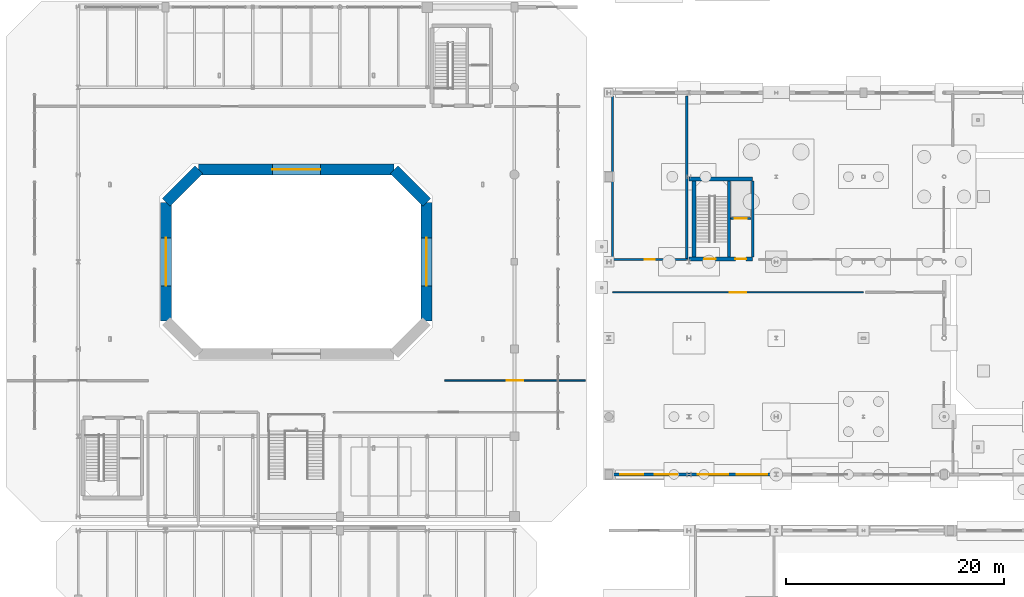
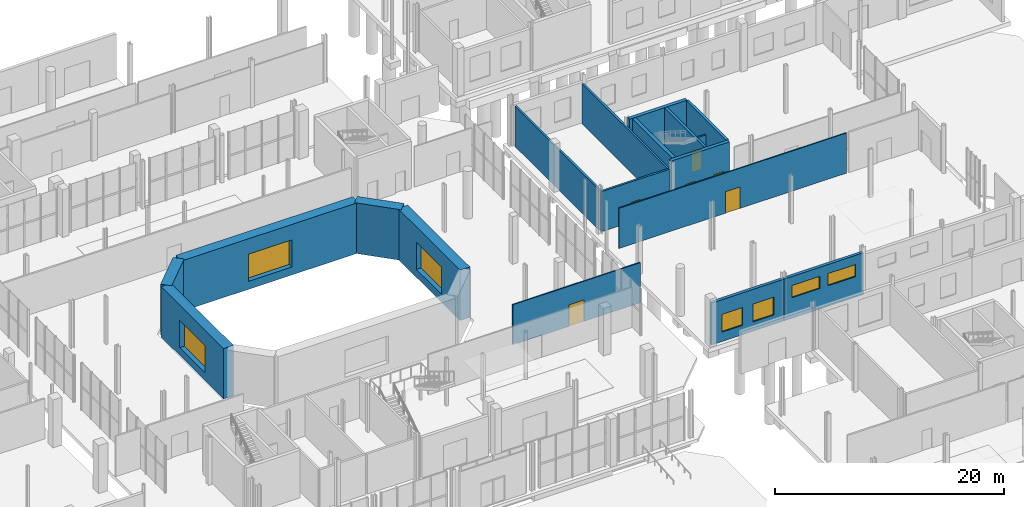
# One storey, part 68 of 87: 18 walls, 7 windows, 6 doors, 13 openings.
"""IFC4 building model written with IfcOpenShell, lengths in metres."""

from ifc_helpers import new_model, si_unit, direction, frame, frame_2d, origin, place, context, subcontext, project, spatial, rectangle, extrude, material, layer, layer_set, type_object, element, fill, save


model = new_model("IFC4")

# Units and contexts
model_context = context("Model", 3, precision=1e-05, world=origin(), true_north=direction((0.0, 1.0)))
body_context = subcontext(model_context, "Body", "Model", "MODEL_VIEW")
ifc_project = project(units=[si_unit("LENGTHUNIT", "METRE"), si_unit("AREAUNIT", "SQUARE_METRE"), si_unit("VOLUMEUNIT", "CUBIC_METRE"), si_unit("PLANEANGLEUNIT", "RADIAN"), si_unit("MASSUNIT", "GRAM", prefix="KILO")], contexts=[model_context])

# Site, building, storey
site_placement = place(None, origin())
site = spatial("IfcSite", under=ifc_project, at=site_placement, CompositionType="ELEMENT")
building_placement = place(site_placement, origin())
building = spatial("IfcBuilding", under=site, at=building_placement, Name="Brisemont Oceanarium", CompositionType="ELEMENT")
storey_placement = place(building_placement, origin())
storey = spatial("IfcBuildingStorey", under=building, at=storey_placement, Name="L00", CompositionType="ELEMENT", Elevation=0.0)

# Wall, openings, windows
ifc_material_1 = material(Name="Sierra Granite Ashlar Backup Concrete C35/45", Category="masonry")
ifc_layer_1 = layer(ifc_material_1, 0.300048828125)
ifc_layer_set_1 = layer_set([ifc_layer_1], Name="Sierra Granite Ashlar Backup Concrete C35/45")
wall_type_1 = type_object("IfcWallType", Name="EW-GRANITE-300", PredefinedType="STANDARD", material=ifc_layer_set_1)
wall_1_placement = place(storey_placement, frame((112.64990234375, 36.5, 0.0), z_axis=(0.0, 0.0, 1.0), x_axis=(1.0, 0.0, 0.0)))
wall_1 = element("IfcWall", 1, at=wall_1_placement, inside=storey, type_object=wall_type_1, Name="Beaux-Arts exterior wall EW-V5ES-L00-1", PredefinedType="STANDARD", context=body_context, shape_type="SweptSolid", body=[
    extrude(rectangle(XDim=7.35009765625, YDim=0.300048828125, at=frame_2d((3.675048828125, 0.0))), origin(), (0.0, 0.0, 1.0), 4.468017578125),
])
opening_1_placement = place(wall_1_placement, frame((1.050048828125, 0.0, 1.0)))
opening_1 = element("IfcOpeningElement", 2, at=opening_1_placement, cuts=wall_1, Name="Opening WIN-10", PredefinedType="OPENING", context=body_context, shape_type="SweptSolid", body=[
    extrude(rectangle(XDim=2.10009765625, YDim=1.89990234375, at=frame_2d((1.050048828125, 0.949951171875))), frame((0.0, 0.159912109375, 0.0), z_axis=(0.0, -1.0, 0.0), x_axis=(1.0, 0.0, 0.0)), (0.0, 0.0, 1.0), 0.320068359375),
])
opening_2_placement = place(wall_1_placement, frame((4.199951171875, 0.0, 1.0)))
opening_2 = element("IfcOpeningElement", 3, at=opening_2_placement, cuts=wall_1, Name="Opening WIN-10", PredefinedType="OPENING", context=body_context, shape_type="SweptSolid", body=[
    extrude(rectangle(XDim=2.10009765625, YDim=1.89990234375, at=frame_2d((1.050048828125, 0.949951171875))), frame((0.0, 0.159912109375, 0.0), z_axis=(0.0, -1.0, 0.0), x_axis=(1.0, 0.0, 0.0)), (0.0, 0.0, 1.0), 0.320068359375),
])
ifc_material_2 = material(Name="Insulated Low-E Laminated Glass", Category="glass")
window_type_1 = type_object("IfcWindowType", Name="WIN-LAB-2100X1900", PartitioningType="SINGLE_PANEL", PredefinedType="WINDOW", material=ifc_material_2)
window_1_placement = place(opening_1_placement, origin())
window_1 = element("IfcWindow", 4, at=window_1_placement, inside=storey, type_object=window_type_1, Name="WIN-10 facade window 37", OverallHeight=1.89990234375, OverallWidth=2.10009765625, PartitioningType="SINGLE_PANEL", PredefinedType="WINDOW", context=body_context, shape_type="SweptSolid", body=[
    extrude(rectangle(XDim=2.10009765625, YDim=1.89990234375, at=frame_2d((1.050048828125, 0.949951171875))), frame((0.0, 0.030029296875, 0.0), z_axis=(0.0, -1.0, 0.0), x_axis=(1.0, 0.0, 0.0)), (0.0, 0.0, 1.0), 0.06005859375),
])
fill(opening_1, window_1)
window_2_placement = place(opening_2_placement, origin())
window_2 = element("IfcWindow", 5, at=window_2_placement, inside=storey, type_object=window_type_1, Name="WIN-10 facade window 38", OverallHeight=1.89990234375, OverallWidth=2.10009765625, PartitioningType="SINGLE_PANEL", PredefinedType="WINDOW", context=body_context, shape_type="SweptSolid", body=[
    extrude(rectangle(XDim=2.10009765625, YDim=1.89990234375, at=frame_2d((1.050048828125, 0.949951171875))), frame((0.0, 0.030029296875, 0.0), z_axis=(0.0, -1.0, 0.0), x_axis=(1.0, 0.0, 0.0)), (0.0, 0.0, 1.0), 0.06005859375),
])
fill(opening_2, window_2)

wall_2_placement = place(storey_placement, frame((120.0, 36.5, 0.0), z_axis=(0.0, 0.0, 1.0), x_axis=(1.0, 0.0, 0.0)))
wall_2 = element("IfcWall", 6, at=wall_2_placement, inside=storey, type_object=wall_type_1, Name="Beaux-Arts exterior wall EW-V5ES-L00-2", PredefinedType="STANDARD", context=body_context, shape_type="SweptSolid", body=[
    extrude(rectangle(XDim=8.0, YDim=0.300048828125, at=frame_2d((4.0, 0.0))), origin(), (0.0, 0.0, 1.0), 4.468017578125),
])
opening_3_placement = place(wall_2_placement, frame((0.800048828125, 0.0, 2.199951171875)))
opening_3 = element("IfcOpeningElement", 7, at=opening_3_placement, cuts=wall_2, Name="Opening WIN-12", PredefinedType="OPENING", context=body_context, shape_type="SweptSolid", body=[
    extrude(rectangle(XDim=2.800048828125, YDim=1.300048828125, at=frame_2d((1.39990234375, 0.64990234375))), frame((0.0, 0.159912109375, 0.0), z_axis=(0.0, -1.0, 0.0), x_axis=(1.0, 0.0, 0.0)), (0.0, 0.0, 1.0), 0.320068359375),
])
opening_4_placement = place(wall_2_placement, frame((4.39990234375, 0.0, 2.199951171875)))
opening_4 = element("IfcOpeningElement", 8, at=opening_4_placement, cuts=wall_2, Name="Opening WIN-12", PredefinedType="OPENING", context=body_context, shape_type="SweptSolid", body=[
    extrude(rectangle(XDim=2.800048828125, YDim=1.300048828125, at=frame_2d((1.39990234375, 0.64990234375))), frame((0.0, 0.159912109375, 0.0), z_axis=(0.0, -1.0, 0.0), x_axis=(1.0, 0.0, 0.0)), (0.0, 0.0, 1.0), 0.320068359375),
])
ifc_material_3 = material(Name="Insulated Low-E Laminated Glass", Category="glass")
window_type_2 = type_object("IfcWindowType", Name="WIN-CLR-2800X1300", PartitioningType="SINGLE_PANEL", PredefinedType="WINDOW", material=ifc_material_3)
window_3_placement = place(opening_3_placement, origin())
window_3 = element("IfcWindow", 9, at=window_3_placement, inside=storey, type_object=window_type_2, Name="WIN-12 facade window 39", OverallHeight=1.300048828125, OverallWidth=2.800048828125, PartitioningType="SINGLE_PANEL", PredefinedType="WINDOW", context=body_context, shape_type="SweptSolid", body=[
    extrude(rectangle(XDim=2.800048828125, YDim=1.300048828125, at=frame_2d((1.39990234375, 0.64990234375))), frame((0.0, 0.030029296875, 0.0), z_axis=(0.0, -1.0, 0.0), x_axis=(1.0, 0.0, 0.0)), (0.0, 0.0, 1.0), 0.06005859375),
])
fill(opening_3, window_3)
window_4_placement = place(opening_4_placement, origin())
window_4 = element("IfcWindow", 10, at=window_4_placement, inside=storey, type_object=window_type_2, Name="WIN-12 facade window 40", OverallHeight=1.300048828125, OverallWidth=2.800048828125, PartitioningType="SINGLE_PANEL", PredefinedType="WINDOW", context=body_context, shape_type="SweptSolid", body=[
    extrude(rectangle(XDim=2.800048828125, YDim=1.300048828125, at=frame_2d((1.39990234375, 0.64990234375))), frame((0.0, 0.030029296875, 0.0), z_axis=(0.0, -1.0, 0.0), x_axis=(1.0, 0.0, 0.0)), (0.0, 0.0, 1.0), 0.06005859375),
])
fill(opening_4, window_4)

# Wall, opening, door
ifc_material_4 = material(Name="Moisture-Resistant Gypsum Steel-Stud Partition", Category="steel")
ifc_layer_2 = layer(ifc_material_4, 0.159912109375)
ifc_layer_set_2 = layer_set([ifc_layer_2], Name="Moisture-Resistant Gypsum Steel-Stud Partition")
wall_type_2 = type_object("IfcWallType", Name="IW-FB-160", PredefinedType="PARTITIONING", material=ifc_layer_set_2)
wall_3_placement = place(storey_placement, frame((123.85009765625, 59.969970703125, 0.0), z_axis=(0.0, 0.0, 1.0), x_axis=(1.0, 0.0, 0.0)))
wall_3 = element("IfcWall", 11, at=wall_3_placement, inside=storey, type_object=wall_type_2, Name="Core C6 L00 lift hoistway front wall", PredefinedType="PARTITIONING", context=body_context, shape_type="SweptSolid", body=[
    extrude(rectangle(XDim=1.83984375, YDim=0.159912109375, at=frame_2d((0.919921875, 0.0))), origin(), (0.0, 0.0, 1.0), 3.60009765625),
])
opening_5_placement = place(wall_3_placement, frame((0.3701171875, 0.0, 0.0)))
opening_5 = element("IfcOpeningElement", 12, at=opening_5_placement, cuts=wall_3, Name="Opening LD-01", PredefinedType="OPENING", context=body_context, shape_type="SweptSolid", body=[
    extrude(rectangle(XDim=1.10009765625, YDim=2.14990234375, at=frame_2d((0.550048828125, 1.074951171875))), frame((0.0, 0.08984375, 0.0), z_axis=(0.0, -1.0, 0.0), x_axis=(1.0, 0.0, 0.0)), (0.0, 0.0, 1.0), 0.179931640625),
])
ifc_material_5 = material(Name="Duplex Stainless Steel EN 1.4462", Category="steel")
door_type_1 = type_object("IfcDoorType", Name="DR-LIFT-1100X2150", OperationType="NOTDEFINED", PredefinedType="DOOR", material=ifc_material_5)
door_1_placement = place(opening_5_placement, origin())
door_1 = element("IfcDoor", 13, at=door_1_placement, inside=storey, type_object=door_type_1, Name="Lift landing door LF-06 L00", OperationType="SLIDING_TO_LEFT", OverallHeight=2.14990234375, OverallWidth=1.10009765625, PredefinedType="DOOR", context=body_context, shape_type="SweptSolid", body=[
    extrude(rectangle(XDim=1.10009765625, YDim=2.14990234375, at=frame_2d((0.550048828125, 1.074951171875))), frame((0.0, 0.02490234375, 0.0), z_axis=(0.0, -1.0, 0.0), x_axis=(1.0, 0.0, 0.0)), (0.0, 0.0, 1.0), 0.050048828125),
])
fill(opening_5, door_1)

ifc_material_6 = material(Name="Moisture-Resistant Gypsum Steel-Stud Partition", Category="steel")
ifc_layer_3 = layer(ifc_material_6, 0.1201171875)
ifc_layer_set_3 = layer_set([ifc_layer_3], Name="Moisture-Resistant Gypsum Steel-Stud Partition")
wall_type_3 = type_object("IfcWallType", Name="IW-PART-120", PredefinedType="PARTITIONING", material=ifc_layer_set_3)
wall_4_placement = place(storey_placement, frame((97.60009765625, 45.10009765625, 0.0), z_axis=(0.0, 0.0, 1.0), x_axis=(1.0, 0.0, 0.0)))
wall_4 = element("IfcWall", 14, at=wall_4_placement, inside=storey, type_object=wall_type_3, Name="Ocean Tank East Viewing Exhibit Gallery corridor partition", PredefinedType="PARTITIONING", context=body_context, shape_type="SweptSolid", body=[
    extrude(rectangle(XDim=12.89990234375, YDim=0.1201171875, at=frame_2d((6.449951171875, 0.0))), origin(), (0.0, 0.0, 1.0), 4.2900390625),
])
opening_6_placement = place(wall_4_placement, frame((5.699951171875, 0.0, 0.0)))
opening_6 = element("IfcOpeningElement", 15, at=opening_6_placement, cuts=wall_4, Name="Opening GD-03", PredefinedType="OPENING", context=body_context, shape_type="SweptSolid", body=[
    extrude(rectangle(XDim=1.5, YDim=2.300048828125, at=frame_2d((0.75, 1.14990234375))), frame((0.0, 0.070068359375, 0.0), z_axis=(0.0, -1.0, 0.0), x_axis=(1.0, 0.0, 0.0)), (0.0, 0.0, 1.0), 0.14013671875),
])
ifc_material_7 = material(Name="Patinated Architectural Bronze C38500")
door_type_2 = type_object("IfcDoorType", Name="DR-GAL-1500X2300", OperationType="NOTDEFINED", PredefinedType="DOOR", material=ifc_material_7)
door_2_placement = place(opening_6_placement, origin())
door_2 = element("IfcDoor", 16, at=door_2_placement, inside=storey, type_object=door_type_2, Name="GD-03 door to Ocean Tank East Viewing Exhibit Gallery", OperationType="SINGLE_SWING_LEFT", OverallHeight=2.300048828125, OverallWidth=1.5, PredefinedType="DOOR", context=body_context, shape_type="SweptSolid", body=[
    extrude(rectangle(XDim=1.5, YDim=2.300048828125, at=frame_2d((0.75, 1.14990234375))), frame((0.0, 0.02490234375, 0.0), z_axis=(0.0, -1.0, 0.0), x_axis=(1.0, 0.0, 0.0)), (0.0, 0.0, 1.0), 0.050048828125),
])
fill(opening_6, door_2)

wall_5_placement = place(storey_placement, frame((113.0, 53.199951171875, 0.0), z_axis=(0.0, 0.0, 1.0), x_axis=(1.0, 0.0, 0.0)))
wall_5 = element("IfcWall", 17, at=wall_5_placement, inside=storey, type_object=wall_type_3, Name="Indo-Pacific Coral Reef Exhibit Gallery corridor partition", PredefinedType="PARTITIONING", context=body_context, shape_type="SweptSolid", body=[
    extrude(rectangle(XDim=23.0, YDim=0.1201171875, at=frame_2d((11.5, 0.0))), origin(), (0.0, 0.0, 1.0), 4.2900390625),
])
opening_7_placement = place(wall_5_placement, frame((10.75, 0.0, 0.0)))
opening_7 = element("IfcOpeningElement", 18, at=opening_7_placement, cuts=wall_5, Name="Opening GD-03", PredefinedType="OPENING", context=body_context, shape_type="SweptSolid", body=[
    extrude(rectangle(XDim=1.5, YDim=2.300048828125, at=frame_2d((0.75, 1.14990234375))), frame((0.0, 0.070068359375, 0.0), z_axis=(0.0, -1.0, 0.0), x_axis=(1.0, 0.0, 0.0)), (0.0, 0.0, 1.0), 0.14013671875),
])
door_3_placement = place(opening_7_placement, origin())
door_3 = element("IfcDoor", 19, at=door_3_placement, inside=storey, type_object=door_type_2, Name="GD-03 door to Indo-Pacific Coral Reef Exhibit Gallery", OperationType="SINGLE_SWING_RIGHT", OverallHeight=2.300048828125, OverallWidth=1.5, PredefinedType="DOOR", context=body_context, shape_type="SweptSolid", body=[
    extrude(rectangle(XDim=1.5, YDim=2.300048828125, at=frame_2d((0.75, 1.14990234375))), frame((0.0, 0.02490234375, 0.0), z_axis=(0.0, -1.0, 0.0), x_axis=(1.0, 0.0, 0.0)), (0.0, 0.0, 1.0), 0.050048828125),
])
fill(opening_7, door_3)

ifc_material_8 = material(Name="Cementitious Tile-Backer Plumbing Wall")
ifc_layer_4 = layer(ifc_material_8, 0.199951171875)
ifc_layer_set_4 = layer_set([ifc_layer_4], Name="Cementitious Tile-Backer Plumbing Wall")
wall_type_4 = type_object("IfcWallType", Name="IW-PLUMB-200", PredefinedType="PLUMBINGWALL", material=ifc_layer_set_4)
wall_6_placement = place(storey_placement, frame((113.0, 56.199951171875, 0.0), z_axis=(0.0, 0.0, 1.0), x_axis=(1.0, 0.0, 0.0)))
wall_6 = element("IfcWall", 20, at=wall_6_placement, inside=storey, type_object=wall_type_4, Name="Accessible WC corridor partition", PredefinedType="PLUMBINGWALL", context=body_context, shape_type="SweptSolid", body=[
    extrude(rectangle(XDim=6.800048828125, YDim=0.199951171875, at=frame_2d((3.39990234375, 0.0))), origin(), (0.0, 0.0, 1.0), 4.2900390625),
])
opening_8_placement = place(wall_6_placement, frame((2.945068359375, 0.0, 0.0)))
opening_8 = element("IfcOpeningElement", 21, at=opening_8_placement, cuts=wall_6, Name="Opening D-03", PredefinedType="OPENING", context=body_context, shape_type="SweptSolid", body=[
    extrude(rectangle(XDim=0.909912109375, YDim=2.10009765625, at=frame_2d((0.455078125, 1.050048828125))), frame((0.0, 0.10986328125, 0.0), z_axis=(0.0, -1.0, 0.0), x_axis=(1.0, 0.0, 0.0)), (0.0, 0.0, 1.0), 0.219970703125),
])
ifc_material_9 = material(Name="FSC White Oak Solid-Core Fire Door")
door_type_3 = type_object("IfcDoorType", Name="DR-WC-910X2100", OperationType="NOTDEFINED", PredefinedType="DOOR", material=ifc_material_9)
door_4_placement = place(opening_8_placement, origin())
door_4 = element("IfcDoor", 22, at=door_4_placement, inside=storey, type_object=door_type_3, Name="D-03 door to Accessible WC", OperationType="SINGLE_SWING_LEFT", OverallHeight=2.10009765625, OverallWidth=0.909912109375, PredefinedType="DOOR", context=body_context, shape_type="SweptSolid", body=[
    extrude(rectangle(XDim=0.909912109375, YDim=2.10009765625, at=frame_2d((0.455078125, 1.050048828125))), frame((0.0, 0.02490234375, 0.0), z_axis=(0.0, -1.0, 0.0), x_axis=(1.0, 0.0, 0.0)), (0.0, 0.0, 1.0), 0.050048828125),
])
fill(opening_8, door_4)

# Walls
wall_7_placement = place(storey_placement, frame((113.0, 56.199951171875, 0.0), z_axis=(0.0, 0.0, 1.0), x_axis=(0.0, 1.0, 0.0)))
element("IfcWall", 23, at=wall_7_placement, inside=storey, type_object=wall_type_4, Name="Accessible WC enclosure wall W", PredefinedType="PLUMBINGWALL", context=body_context, shape_type="SweptSolid", body=[
    extrude(rectangle(XDim=15.0, YDim=0.199951171875, at=frame_2d((7.5, 0.0))), origin(), (0.0, 0.0, 1.0), 4.280029296875),
])
wall_8_placement = place(storey_placement, frame((119.800048828125, 56.199951171875, 0.0), z_axis=(0.0, 0.0, 1.0), x_axis=(0.0, 1.0, 0.0)))
element("IfcWall", 24, at=wall_8_placement, inside=storey, type_object=wall_type_4, Name="Accessible WC enclosure wall E", PredefinedType="PLUMBINGWALL", context=body_context, shape_type="SweptSolid", body=[
    extrude(rectangle(XDim=15.0, YDim=0.199951171875, at=frame_2d((7.5, 0.0))), origin(), (0.0, 0.0, 1.0), 4.2900390625),
])
ifc_material_10 = material(Name="Concrete C40/50", Category="concrete")
ifc_layer_5 = layer(ifc_material_10, 0.260009765625)
ifc_layer_set_5 = layer_set([ifc_layer_5], Name="Concrete C40/50")
wall_type_5 = type_object("IfcWallType", Name="SW-SHAFT-260", PredefinedType="SHEAR", material=ifc_layer_set_5)
for number, where, z_axis, x_axis, name in (
    (25, (125.85009765625, 56.449951171875, 0.0), (0.0, 0.0, 1.0), (0.0, 1.0, 0.0), "Core C6 L00 E RC shear wall"),
    (26, (123.669921875, 56.449951171875, 0.0), (0.0, 0.0, 1.0), (0.0, 1.0, 0.0), "Core C6 L00 MID RC shear wall"),
):
    element("IfcWall", number, at=place(storey_placement, frame(where, z_axis=z_axis, x_axis=x_axis)), inside=storey, type_object=wall_type_5, Name=name, PredefinedType="SHEAR", context=body_context, shape_type="SweptSolid", body=[
        extrude(rectangle(XDim=6.949951171875, YDim=0.260009765625, at=frame_2d((3.47509765625, 0.0))), origin(), (0.0, 0.0, 1.0), 5.110107421875),
    ])

# Wall, openings, doors
ifc_material_11 = material(Name="Concrete C40/50", Category="concrete")
ifc_layer_6 = layer(ifc_material_11, 0.35009765625)
ifc_layer_set_6 = layer_set([ifc_layer_6], Name="Concrete C40/50")
wall_type_6 = type_object("IfcWallType", Name="SW-STAIR-350", PredefinedType="SHEAR", material=ifc_layer_set_6)
wall_9_placement = place(storey_placement, frame((120.0, 56.25, 0.0), z_axis=(0.0, 0.0, 1.0), x_axis=(1.0, 0.0, 0.0)))
wall_9 = element("IfcWall", 27, at=wall_9_placement, inside=storey, type_object=wall_type_6, Name="Core C6 L00 corridor RC shear wall", PredefinedType="SHEAR", context=body_context, shape_type="SweptSolid", body=[
    extrude(rectangle(XDim=5.85009765625, YDim=0.35009765625, at=frame_2d((2.925048828125, 0.0))), origin(), (0.0, 0.0, 1.0), 5.110107421875),
])
opening_9_placement = place(wall_9_placement, frame((1.39990234375, 0.0, 0.0)))
opening_9 = element("IfcOpeningElement", 28, at=opening_9_placement, cuts=wall_9, Name="Opening SD-02", PredefinedType="OPENING", context=body_context, shape_type="SweptSolid", body=[
    extrude(rectangle(XDim=1.050048828125, YDim=2.10009765625, at=frame_2d((0.52490234375, 1.050048828125))), frame((0.0, 0.18505859375, 0.0), z_axis=(0.0, -1.0, 0.0), x_axis=(1.0, 0.0, 0.0)), (0.0, 0.0, 1.0), 0.3701171875),
])
opening_10_placement = place(wall_9_placement, frame((4.25, 0.0, 0.0)))
opening_10 = element("IfcOpeningElement", 29, at=opening_10_placement, cuts=wall_9, Name="Opening FD90-2", PredefinedType="OPENING", context=body_context, shape_type="SweptSolid", body=[
    extrude(rectangle(XDim=1.0, YDim=2.14990234375, at=frame_2d((0.5, 1.074951171875))), frame((0.0, 0.18505859375, 0.0), z_axis=(0.0, -1.0, 0.0), x_axis=(1.0, 0.0, 0.0)), (0.0, 0.0, 1.0), 0.3701171875),
])
ifc_material_12 = material(Name="FSC White Oak Solid-Core Fire Door")
door_type_4 = type_object("IfcDoorType", Name="DR-LOB-1000X2150", OperationType="NOTDEFINED", PredefinedType="DOOR", material=ifc_material_12)
door_5_placement = place(opening_10_placement, origin())
door_5 = element("IfcDoor", 30, at=door_5_placement, inside=storey, type_object=door_type_4, Name="Lift lobby door C6 L00", OperationType="SINGLE_SWING_LEFT", OverallHeight=2.14990234375, OverallWidth=1.0, PredefinedType="DOOR", context=body_context, shape_type="SweptSolid", body=[
    extrude(rectangle(XDim=1.0, YDim=2.14990234375, at=frame_2d((0.5, 1.074951171875))), frame((0.0, 0.02490234375, 0.0), z_axis=(0.0, -1.0, 0.0), x_axis=(1.0, 0.0, 0.0)), (0.0, 0.0, 1.0), 0.050048828125),
])
fill(opening_10, door_5)
ifc_material_13 = material(Name="Duplex Stainless Steel EN 1.4462", Category="steel")
door_type_5 = type_object("IfcDoorType", Name="DR-STAIR-1050X2100", OperationType="NOTDEFINED", PredefinedType="DOOR", material=ifc_material_13)
door_6_placement = place(opening_9_placement, origin())
door_6 = element("IfcDoor", 31, at=door_6_placement, inside=storey, type_object=door_type_5, Name="Exit stair door ST-06 L00", OperationType="SINGLE_SWING_RIGHT", OverallHeight=2.10009765625, OverallWidth=1.050048828125, PredefinedType="DOOR", context=body_context, shape_type="SweptSolid", body=[
    extrude(rectangle(XDim=1.050048828125, YDim=2.10009765625, at=frame_2d((0.52490234375, 1.050048828125))), frame((0.0, 0.02490234375, 0.0), z_axis=(0.0, -1.0, 0.0), x_axis=(1.0, 0.0, 0.0)), (0.0, 0.0, 1.0), 0.050048828125),
])
fill(opening_9, door_6)

# Walls
wall_10_placement = place(storey_placement, frame((120.0, 63.60009765625, 0.0), z_axis=(0.0, 0.0, 1.0), x_axis=(1.0, 0.0, 0.0)))
element("IfcWall", 32, at=wall_10_placement, inside=storey, type_object=wall_type_6, Name="Core C6 L00 BCK RC shear wall", PredefinedType="SHEAR", context=body_context, shape_type="SweptSolid", body=[
    extrude(rectangle(XDim=5.85009765625, YDim=0.35009765625, at=frame_2d((2.925048828125, 0.0))), origin(), (0.0, 0.0, 1.0), 5.110107421875),
])
wall_11_placement = place(storey_placement, frame((120.449951171875, 56.449951171875, 0.0), z_axis=(0.0, 0.0, 1.0), x_axis=(0.0, 1.0, 0.0)))
element("IfcWall", 33, at=wall_11_placement, inside=storey, type_object=wall_type_6, Name="Core C6 L00 W RC shear wall", PredefinedType="SHEAR", context=body_context, shape_type="SweptSolid", body=[
    extrude(rectangle(XDim=6.949951171875, YDim=0.35009765625, at=frame_2d((3.47509765625, 0.0))), origin(), (0.0, 0.0, 1.0), 5.110107421875),
])

# Wall, opening, window
ifc_material_14 = material(Name="Concrete C40/50", Category="concrete")
ifc_layer_7 = layer(ifc_material_14, 1.0)
ifc_layer_set_7 = layer_set([ifc_layer_7], Name="Concrete C40/50")
wall_type_7 = type_object("IfcWallType", Name="SW-TANK-1000", PredefinedType="SOLIDWALL", material=ifc_layer_set_7)
wall_12_placement = place(storey_placement, frame((95.949951171875, 50.550048828125, 0.0), z_axis=(0.0, 0.0, 1.0), x_axis=(0.0, 1.0, 0.0)))
wall_12 = element("IfcWall", 34, at=wall_12_placement, inside=storey, type_object=wall_type_7, Name="V4 Ocean Tank L00 vessel wall 3", PredefinedType="SOLIDWALL", context=body_context, shape_type="SweptSolid", body=[
    extrude(rectangle(XDim=10.89990234375, YDim=1.0, at=frame_2d((5.449951171875, 0.0))), origin(), (0.0, 0.0, 1.0), 5.39990234375),
])
opening_11_placement = place(wall_12_placement, frame((3.25, 0.0, 0.85009765625)))
opening_11 = element("IfcOpeningElement", 35, at=opening_11_placement, cuts=wall_12, Name="Opening VW-01", PredefinedType="OPENING", context=body_context, shape_type="SweptSolid", body=[
    extrude(rectangle(XDim=4.39990234375, YDim=2.89990234375, at=frame_2d((2.199951171875, 1.449951171875))), frame((0.0, 0.510009765625, 0.0), z_axis=(0.0, -1.0, 0.0), x_axis=(1.0, 0.0, 0.0)), (0.0, 0.0, 1.0), 1.02001953125),
])
ifc_material_15 = material(Name="Cast Polymethyl Methacrylate PMMA")
window_type_3 = type_object("IfcWindowType", Name="WIN-PMMA-4400X2900", PartitioningType="SINGLE_PANEL", PredefinedType="WINDOW", material=ifc_material_15)
window_5_placement = place(opening_11_placement, origin())
window_5 = element("IfcWindow", 36, at=window_5_placement, inside=storey, type_object=window_type_3, Name="VW-01 cast-PMMA ocean tank viewing window L00.3", OverallHeight=2.89990234375, OverallWidth=4.39990234375, PartitioningType="SINGLE_PANEL", PredefinedType="WINDOW", context=body_context, shape_type="SweptSolid", body=[
    extrude(rectangle(XDim=4.39990234375, YDim=2.89990234375, at=frame_2d((2.199951171875, 1.449951171875))), frame((0.0, 0.030029296875, 0.0), z_axis=(0.0, -1.0, 0.0), x_axis=(1.0, 0.0, 0.0)), (0.0, 0.0, 1.0), 0.06005859375),
])
fill(opening_11, window_5)

# Wall
wall_13_placement = place(storey_placement, frame((95.949951171875, 61.449951171875, 0.0), z_axis=(0.0, 0.0, 1.0), x_axis=(-0.707106781187, 0.707106781187, 0.0)))
element("IfcWall", 37, at=wall_13_placement, inside=storey, type_object=wall_type_7, Name="V4 Ocean Tank L00 vessel wall 4", PredefinedType="SOLIDWALL", context=body_context, shape_type="SweptSolid", body=[
    extrude(rectangle(XDim=4.24267578125, YDim=1.0, at=frame_2d((2.121337890625, 0.0))), origin(), (0.0, 0.0, 1.0), 5.39990234375),
])

# Wall, opening, window
wall_14_placement = place(storey_placement, frame((92.949951171875, 64.449951171875, 0.0), z_axis=(0.0, 0.0, 1.0), x_axis=(-1.0, 0.0, 0.0)))
wall_14 = element("IfcWall", 38, at=wall_14_placement, inside=storey, type_object=wall_type_7, Name="V4 Ocean Tank L00 vessel wall 5", PredefinedType="SOLIDWALL", context=body_context, shape_type="SweptSolid", body=[
    extrude(rectangle(XDim=17.89990234375, YDim=1.0, at=frame_2d((8.949951171875, 0.0))), origin(), (0.0, 0.0, 1.0), 5.39990234375),
])
opening_12_placement = place(wall_14_placement, frame((6.75, 0.0, 0.85009765625)))
opening_12 = element("IfcOpeningElement", 39, at=opening_12_placement, cuts=wall_14, Name="Opening VW-01", PredefinedType="OPENING", context=body_context, shape_type="SweptSolid", body=[
    extrude(rectangle(XDim=4.39990234375, YDim=2.89990234375, at=frame_2d((2.199951171875, 1.449951171875))), frame((0.0, 0.510009765625, 0.0), z_axis=(0.0, -1.0, 0.0), x_axis=(1.0, 0.0, 0.0)), (0.0, 0.0, 1.0), 1.02001953125),
])
window_6_placement = place(opening_12_placement, origin())
window_6 = element("IfcWindow", 40, at=window_6_placement, inside=storey, type_object=window_type_3, Name="VW-01 cast-PMMA ocean tank viewing window L00.5", OverallHeight=2.89990234375, OverallWidth=4.39990234375, PartitioningType="SINGLE_PANEL", PredefinedType="WINDOW", context=body_context, shape_type="SweptSolid", body=[
    extrude(rectangle(XDim=4.39990234375, YDim=2.89990234375, at=frame_2d((2.199951171875, 1.449951171875))), frame((0.0, 0.030029296875, 0.0), z_axis=(0.0, -1.0, 0.0), x_axis=(1.0, 0.0, 0.0)), (0.0, 0.0, 1.0), 0.06005859375),
])
fill(opening_12, window_6)

# Wall
wall_15_placement = place(storey_placement, frame((75.050048828125, 64.449951171875, 0.0), z_axis=(0.0, 0.0, 1.0), x_axis=(-0.707106781187, -0.707106781187, 0.0)))
element("IfcWall", 41, at=wall_15_placement, inside=storey, type_object=wall_type_7, Name="V4 Ocean Tank L00 vessel wall 6", PredefinedType="SOLIDWALL", context=body_context, shape_type="SweptSolid", body=[
    extrude(rectangle(XDim=4.24267578125, YDim=1.0, at=frame_2d((2.121337890625, 0.0))), origin(), (0.0, 0.0, 1.0), 5.39990234375),
])

# Wall, opening, window
wall_16_placement = place(storey_placement, frame((72.050048828125, 61.449951171875, 0.0), z_axis=(0.0, 0.0, 1.0), x_axis=(0.0, -1.0, 0.0)))
wall_16 = element("IfcWall", 42, at=wall_16_placement, inside=storey, type_object=wall_type_7, Name="V4 Ocean Tank L00 vessel wall 7", PredefinedType="SOLIDWALL", context=body_context, shape_type="SweptSolid", body=[
    extrude(rectangle(XDim=10.89990234375, YDim=1.0, at=frame_2d((5.449951171875, 0.0))), origin(), (0.0, 0.0, 1.0), 5.39990234375),
])
opening_13_placement = place(wall_16_placement, frame((3.25, 0.0, 0.85009765625)))
opening_13 = element("IfcOpeningElement", 43, at=opening_13_placement, cuts=wall_16, Name="Opening VW-01", PredefinedType="OPENING", context=body_context, shape_type="SweptSolid", body=[
    extrude(rectangle(XDim=4.39990234375, YDim=2.89990234375, at=frame_2d((2.199951171875, 1.449951171875))), frame((0.0, 0.510009765625, 0.0), z_axis=(0.0, -1.0, 0.0), x_axis=(1.0, 0.0, 0.0)), (0.0, 0.0, 1.0), 1.02001953125),
])
window_7_placement = place(opening_13_placement, origin())
window_7 = element("IfcWindow", 44, at=window_7_placement, inside=storey, type_object=window_type_3, Name="VW-01 cast-PMMA ocean tank viewing window L00.7", OverallHeight=2.89990234375, OverallWidth=4.39990234375, PartitioningType="SINGLE_PANEL", PredefinedType="WINDOW", context=body_context, shape_type="SweptSolid", body=[
    extrude(rectangle(XDim=4.39990234375, YDim=2.89990234375, at=frame_2d((2.199951171875, 1.449951171875))), frame((0.0, 0.030029296875, 0.0), z_axis=(0.0, -1.0, 0.0), x_axis=(1.0, 0.0, 0.0)), (0.0, 0.0, 1.0), 0.06005859375),
])
fill(opening_13, window_7)

save(model, "model.ifc")
